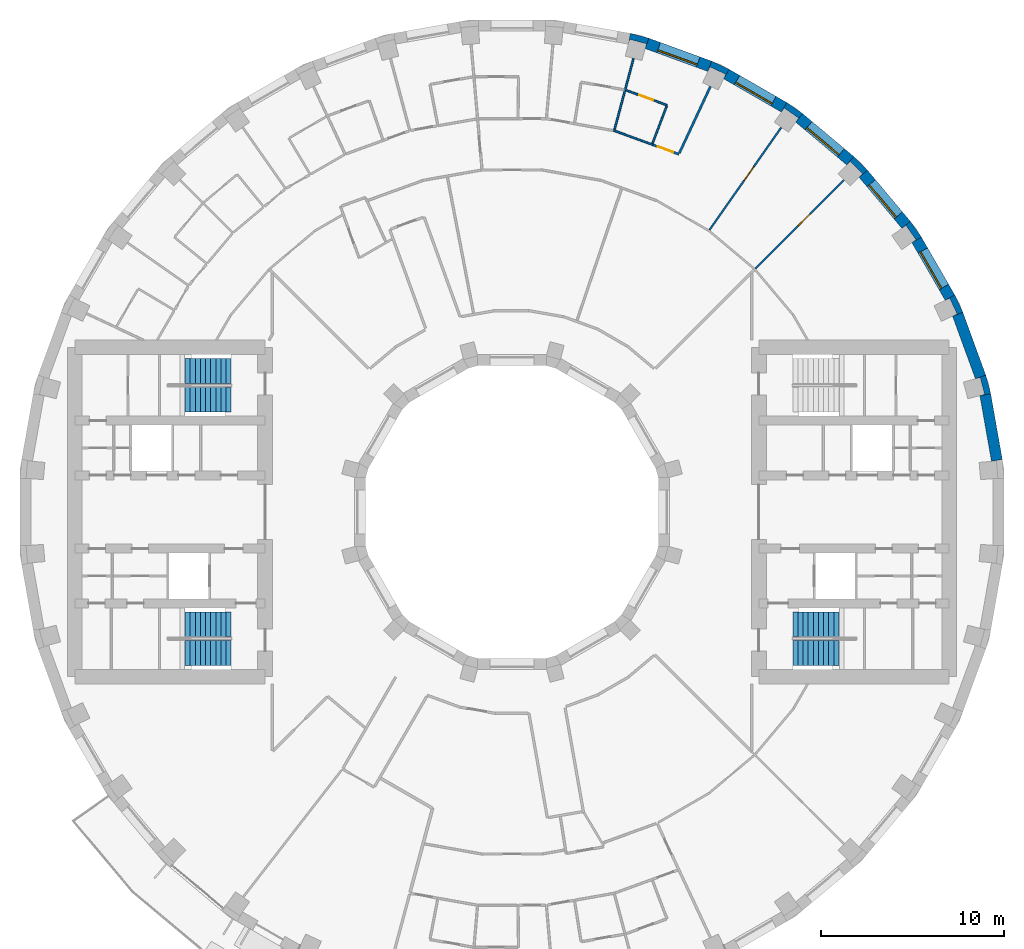
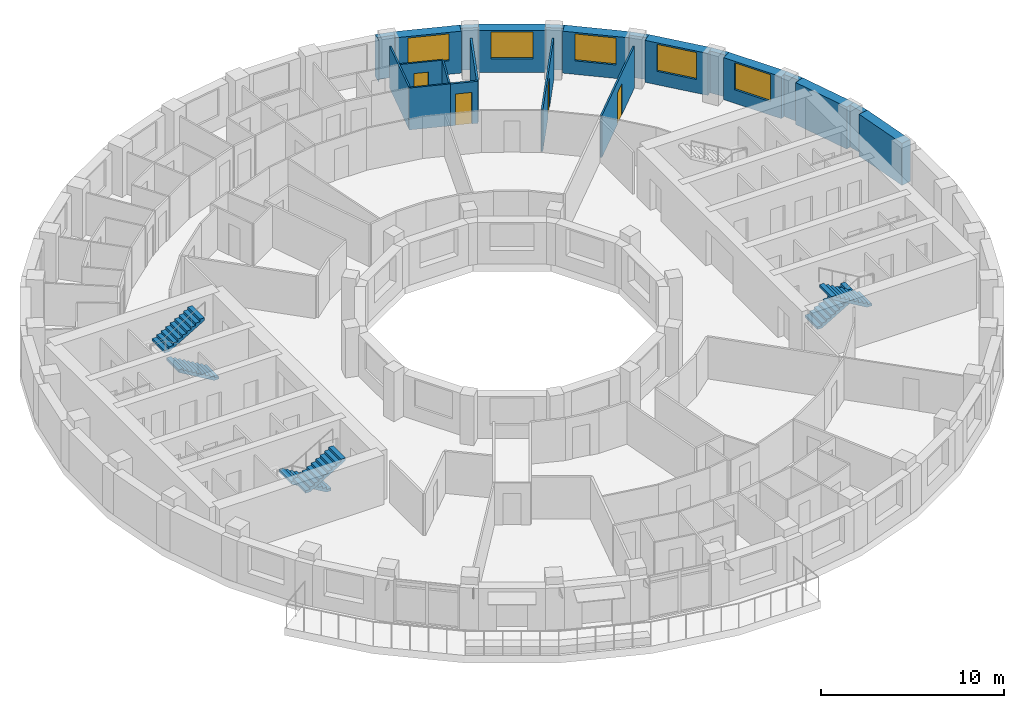
# One storey, part 12 of 14: 22 walls, 6 stair flights, 5 windows, 4 doors, 9 openings, 3 elements without a shape of their own.
"""IFC4 building model written with IfcOpenShell, lengths in metres."""

from ifc_helpers import new_model, si_unit, direction, frame, frame_2d, origin, place, context, subcontext, project, spatial, polyline, rectangle, outline, extrude, material, layer, layer_set, type_object, element, fill, aggregate, save


model = new_model("IFC4")

# Units and contexts
model_context = context("Model", 3, precision=1e-05, world=origin(), true_north=direction((0.0, 1.0)))
body_context = subcontext(model_context, "Body", "Model", "MODEL_VIEW")
ifc_project = project(units=[si_unit("LENGTHUNIT", "METRE"), si_unit("AREAUNIT", "SQUARE_METRE"), si_unit("VOLUMEUNIT", "CUBIC_METRE"), si_unit("PLANEANGLEUNIT", "RADIAN"), si_unit("MASSUNIT", "GRAM", prefix="KILO")], contexts=[model_context])

# Site, building, storey
site_placement = place(None, origin())
site = spatial("IfcSite", under=ifc_project, at=site_placement, CompositionType="ELEMENT")
building_placement = place(site_placement, origin())
building = spatial("IfcBuilding", under=site, at=building_placement, Name="Saqina Gate Tower", CompositionType="ELEMENT")
storey_placement = place(building_placement, frame((0.0, 0.0, 131.5)))
storey = spatial("IfcBuildingStorey", under=building, at=storey_placement, Name="L37", CompositionType="ELEMENT", Elevation=131.5)

# Walls
ifc_material_1 = material(Name="Brick masonry (buff)", Category="masonry")
wall_type_1 = type_object("IfcWallType", Name="BRICK PIER COPING BUFF", PredefinedType="SOLIDWALL", material=ifc_material_1)
wall_1_placement = place(storey_placement, origin())
element("IfcWall", 1, at=wall_1_placement, inside=storey, type_object=wall_type_1, Name="Pier cap L37 column 2", PredefinedType="SOLIDWALL", context=body_context, shape_type="SweptSolid", body=[
    extrude(outline(polyline([(26.171875, 6.466796875), (25.89892578125, 7.485595703125), (25.335205078125, 7.2802734375), (25.5947265625, 7.349853515625), (25.8408203125, 6.43212890625), (25.5810546875, 6.36279296875), (26.171875, 6.466796875)])), origin(), (0.0, 0.0, 1.0), 2.800048828125),
])
wall_2_placement = place(storey_placement, origin())
element("IfcWall", 2, at=wall_2_placement, inside=storey, type_object=wall_type_1, Name="Pier cap L37 column 3", PredefinedType="SOLIDWALL", context=body_context, shape_type="SweptSolid", body=[
    extrude(outline(polyline([(24.6513671875, 10.913330078125), (24.205810546875, 11.869140625), (23.68603515625, 11.569091796875), (23.9296875, 11.6826171875), (24.331298828125, 10.82177734375), (24.08740234375, 10.7080078125), (24.6513671875, 10.913330078125)])), origin(), (0.0, 0.0, 1.0), 2.800048828125),
])
wall_3_placement = place(storey_placement, origin())
element("IfcWall", 3, at=wall_3_placement, inside=storey, type_object=wall_type_1, Name="Pier cap L37 column 4", PredefinedType="SOLIDWALL", context=body_context, shape_type="SweptSolid", body=[
    extrude(outline(polyline([(21.77685546875, 15.89208984375), (21.317138671875, 15.50634765625), (21.53759765625, 15.66064453125), (22.08251953125, 14.88232421875), (21.862060546875, 14.728271484375), (22.3818359375, 15.0283203125), (21.77685546875, 15.89208984375)])), origin(), (0.0, 0.0, 1.0), 2.800048828125),
])
wall_4_placement = place(storey_placement, origin())
element("IfcWall", 4, at=wall_4_placement, inside=storey, type_object=wall_type_1, Name="Pier cap L37 column 5", PredefinedType="SOLIDWALL", context=body_context, shape_type="SweptSolid", body=[
    extrude(outline(polyline([(19.43212890625, 18.686279296875), (18.686279296875, 19.43212890625), (18.30078125, 18.972412109375), (18.49072265625, 19.16259765625), (19.16259765625, 18.49072265625), (18.972412109375, 18.30078125), (19.43212890625, 18.686279296875)])), origin(), (0.0, 0.0, 1.0), 2.800048828125),
])
wall_5_placement = place(storey_placement, origin())
element("IfcWall", 5, at=wall_5_placement, inside=storey, type_object=wall_type_1, Name="Pier cap L37 column 6", PredefinedType="SOLIDWALL", context=body_context, shape_type="SweptSolid", body=[
    extrude(outline(polyline([(15.0283203125, 22.3818359375), (14.728271484375, 21.862060546875), (14.88232421875, 22.08251953125), (15.66064453125, 21.53759765625), (15.50634765625, 21.317138671875), (15.89208984375, 21.77685546875), (15.0283203125, 22.3818359375)])), origin(), (0.0, 0.0, 1.0), 2.800048828125),
])
wall_6_placement = place(storey_placement, origin())
element("IfcWall", 6, at=wall_6_placement, inside=storey, type_object=wall_type_1, Name="Pier cap L37 column 7", PredefinedType="SOLIDWALL", context=body_context, shape_type="SweptSolid", body=[
    extrude(outline(polyline([(10.913330078125, 24.6513671875), (10.7080078125, 24.08740234375), (10.82177734375, 24.331298828125), (11.6826171875, 23.9296875), (11.569091796875, 23.68603515625), (11.869140625, 24.205810546875), (10.913330078125, 24.6513671875)])), origin(), (0.0, 0.0, 1.0), 2.800048828125),
])
wall_7_placement = place(storey_placement, origin())
element("IfcWall", 7, at=wall_7_placement, inside=storey, type_object=wall_type_1, Name="Pier cap L37 column 8", PredefinedType="SOLIDWALL", context=body_context, shape_type="SweptSolid", body=[
    extrude(outline(polyline([(7.485595703125, 25.89892578125), (6.466796875, 26.171875), (6.36279296875, 25.5810546875), (6.43212890625, 25.8408203125), (7.349853515625, 25.5947265625), (7.2802734375, 25.335205078125), (7.485595703125, 25.89892578125)])), origin(), (0.0, 0.0, 1.0), 2.800048828125),
])

# Wall, opening, window
ifc_material_2 = material(Name="Brick masonry (buff)", Category="masonry")
ifc_layer_1 = layer(ifc_material_2, 0.60009765625)
ifc_layer_set_1 = layer_set([ifc_layer_1], Name="FW-BRICK-BUFF")
wall_type_2 = type_object("IfcWallType", Name="FW-BRICK-BUFF", PredefinedType="SOLIDWALL", material=ifc_layer_set_1)
wall_8_placement = place(storey_placement, frame((23.94580078125, 11.718994140625, 0.0), z_axis=(0.0, 0.0, 1.0), x_axis=(-0.499954196102, 0.866051847062, 0.0)))
wall_8 = element("IfcWall", 8, at=wall_8_placement, inside=storey, type_object=wall_type_2, Name="Facade wall L37 facet 3", PredefinedType="SOLIDWALL", context=body_context, shape_type="SweptSolid", body=[
    extrude(rectangle(XDim=3.647705078125, YDim=0.60009765625, at=frame_2d((1.82373046875, 0.0))), origin(), (0.0, 0.0, 1.0), 2.800048828125),
])
opening_1_placement = place(wall_8_placement, frame((0.673828125, 0.0, 0.89990234375)))
opening_1 = element("IfcOpeningElement", 9, at=opening_1_placement, cuts=wall_8, Name="Opening G11-W01", PredefinedType="OPENING", context=body_context, shape_type="SweptSolid", body=[
    extrude(rectangle(XDim=2.300048828125, YDim=1.800048828125, at=frame_2d((1.14990234375, 0.89990234375))), frame((0.0, 0.31201171875, 0.0), z_axis=(0.0, -1.0, 0.0), x_axis=(1.0, 0.0, 0.0)), (0.0, 0.0, 1.0), 0.6240234375),
])
ifc_material_3 = material(Name="Aluminium glazing", Category="aluminium")
window_type = type_object("IfcWindowType", Name="WN-B", PartitioningType="SINGLE_PANEL", PredefinedType="WINDOW", material=ifc_material_3)
window_1_placement = place(opening_1_placement, origin())
window_1 = element("IfcWindow", 10, at=window_1_placement, inside=storey, type_object=window_type, Name="Window L37 facet 3", OverallHeight=1.800048828125, OverallWidth=2.300048828125, PartitioningType="SINGLE_PANEL", PredefinedType="WINDOW", context=body_context, shape_type="SweptSolid", body=[
    extrude(rectangle(XDim=2.300048828125, YDim=1.800048828125, at=frame_2d((1.14990234375, 0.89990234375))), frame((0.0, 0.179931640625, 0.0), z_axis=(0.0, -1.0, 0.0), x_axis=(1.0, 0.0, 0.0)), (0.0, 0.0, 1.0), 0.06005859375),
])
fill(opening_1, window_1)

wall_9_placement = place(storey_placement, frame((21.547119140625, 15.69921875, 0.0), z_axis=(0.0, 0.0, 1.0), x_axis=(-0.642774476932, 0.766055462616, 0.0)))
wall_9 = element("IfcWall", 11, at=wall_9_placement, inside=storey, type_object=wall_type_2, Name="Facade wall L37 facet 4", PredefinedType="SOLIDWALL", context=body_context, shape_type="SweptSolid", body=[
    extrude(rectangle(XDim=3.647705078125, YDim=0.60009765625, at=frame_2d((1.82373046875, 0.0))), origin(), (0.0, 0.0, 1.0), 2.800048828125),
])
opening_2_placement = place(wall_9_placement, frame((0.673828125, 0.0, 0.89990234375)))
opening_2 = element("IfcOpeningElement", 12, at=opening_2_placement, cuts=wall_9, Name="Opening G11-W02", PredefinedType="OPENING", context=body_context, shape_type="SweptSolid", body=[
    extrude(rectangle(XDim=2.300048828125, YDim=1.800048828125, at=frame_2d((1.14990234375, 0.89990234375))), frame((0.0, 0.31201171875, 0.0), z_axis=(0.0, -1.0, 0.0), x_axis=(1.0, 0.0, 0.0)), (0.0, 0.0, 1.0), 0.6240234375),
])
window_2_placement = place(opening_2_placement, origin())
window_2 = element("IfcWindow", 13, at=window_2_placement, inside=storey, type_object=window_type, Name="Window L37 facet 4", OverallHeight=1.800048828125, OverallWidth=2.300048828125, PartitioningType="SINGLE_PANEL", PredefinedType="WINDOW", context=body_context, shape_type="SweptSolid", body=[
    extrude(rectangle(XDim=2.300048828125, YDim=1.800048828125, at=frame_2d((1.14990234375, 0.89990234375))), frame((0.0, 0.179931640625, 0.0), z_axis=(0.0, -1.0, 0.0), x_axis=(1.0, 0.0, 0.0)), (0.0, 0.0, 1.0), 0.06005859375),
])
fill(opening_2, window_2)

wall_10_placement = place(storey_placement, frame((18.49365234375, 19.202392578125, 0.0), z_axis=(0.0, 0.0, 1.0), x_axis=(-0.766055462616, 0.642774476932, 0.0)))
wall_10 = element("IfcWall", 14, at=wall_10_placement, inside=storey, type_object=wall_type_2, Name="Facade wall L37 facet 5", PredefinedType="SOLIDWALL", context=body_context, shape_type="SweptSolid", body=[
    extrude(rectangle(XDim=3.647705078125, YDim=0.60009765625, at=frame_2d((1.82373046875, 0.0))), origin(), (0.0, 0.0, 1.0), 2.800048828125),
])
opening_3_placement = place(wall_10_placement, frame((0.673828125, 0.0, 0.89990234375)))
opening_3 = element("IfcOpeningElement", 15, at=opening_3_placement, cuts=wall_10, Name="Opening G11-W03", PredefinedType="OPENING", context=body_context, shape_type="SweptSolid", body=[
    extrude(rectangle(XDim=2.300048828125, YDim=1.800048828125, at=frame_2d((1.14990234375, 0.89990234375))), frame((0.0, 0.31201171875, 0.0), z_axis=(0.0, -1.0, 0.0), x_axis=(1.0, 0.0, 0.0)), (0.0, 0.0, 1.0), 0.6240234375),
])
window_3_placement = place(opening_3_placement, origin())
window_3 = element("IfcWindow", 16, at=window_3_placement, inside=storey, type_object=window_type, Name="Window L37 facet 5", OverallHeight=1.800048828125, OverallWidth=2.300048828125, PartitioningType="SINGLE_PANEL", PredefinedType="WINDOW", context=body_context, shape_type="SweptSolid", body=[
    extrude(rectangle(XDim=2.300048828125, YDim=1.800048828125, at=frame_2d((1.14990234375, 0.89990234375))), frame((0.0, 0.179931640625, 0.0), z_axis=(0.0, -1.0, 0.0), x_axis=(1.0, 0.0, 0.0)), (0.0, 0.0, 1.0), 0.06005859375),
])
fill(opening_3, window_3)

wall_11_placement = place(storey_placement, frame((14.878173828125, 22.1220703125, 0.0), z_axis=(0.0, 0.0, 1.0), x_axis=(-0.866051847062, 0.499954196102, 0.0)))
wall_11 = element("IfcWall", 17, at=wall_11_placement, inside=storey, type_object=wall_type_2, Name="Facade wall L37 facet 6", PredefinedType="SOLIDWALL", context=body_context, shape_type="SweptSolid", body=[
    extrude(rectangle(XDim=3.647705078125, YDim=0.60009765625, at=frame_2d((1.82373046875, 0.0))), origin(), (0.0, 0.0, 1.0), 2.800048828125),
])
opening_4_placement = place(wall_11_placement, frame((0.673828125, 0.0, 0.89990234375)))
opening_4 = element("IfcOpeningElement", 18, at=opening_4_placement, cuts=wall_11, Name="Opening G11-W04", PredefinedType="OPENING", context=body_context, shape_type="SweptSolid", body=[
    extrude(rectangle(XDim=2.300048828125, YDim=1.800048828125, at=frame_2d((1.14990234375, 0.89990234375))), frame((0.0, 0.31201171875, 0.0), z_axis=(0.0, -1.0, 0.0), x_axis=(1.0, 0.0, 0.0)), (0.0, 0.0, 1.0), 0.6240234375),
])
window_4_placement = place(opening_4_placement, origin())
window_4 = element("IfcWindow", 19, at=window_4_placement, inside=storey, type_object=window_type, Name="Window L37 facet 6", OverallHeight=1.800048828125, OverallWidth=2.300048828125, PartitioningType="SINGLE_PANEL", PredefinedType="WINDOW", context=body_context, shape_type="SweptSolid", body=[
    extrude(rectangle(XDim=2.300048828125, YDim=1.800048828125, at=frame_2d((1.14990234375, 0.89990234375))), frame((0.0, 0.179931640625, 0.0), z_axis=(0.0, -1.0, 0.0), x_axis=(1.0, 0.0, 0.0)), (0.0, 0.0, 1.0), 0.06005859375),
])
fill(opening_4, window_4)

wall_12_placement = place(storey_placement, frame((10.810791015625, 24.369384765625, 0.0), z_axis=(0.0, 0.0, 1.0), x_axis=(-0.939703505393, 0.341990236633, 0.0)))
wall_12 = element("IfcWall", 20, at=wall_12_placement, inside=storey, type_object=wall_type_2, Name="Facade wall L37 facet 7", PredefinedType="SOLIDWALL", context=body_context, shape_type="SweptSolid", body=[
    extrude(rectangle(XDim=3.64794921875, YDim=0.60009765625, at=frame_2d((1.823974609375, 0.0))), origin(), (0.0, 0.0, 1.0), 2.800048828125),
])
opening_5_placement = place(wall_12_placement, frame((0.673828125, 0.0, 0.89990234375)))
opening_5 = element("IfcOpeningElement", 21, at=opening_5_placement, cuts=wall_12, Name="Opening G11-W05", PredefinedType="OPENING", context=body_context, shape_type="SweptSolid", body=[
    extrude(rectangle(XDim=2.300048828125, YDim=1.800048828125, at=frame_2d((1.14990234375, 0.89990234375))), frame((0.0, 0.31201171875, 0.0), z_axis=(0.0, -1.0, 0.0), x_axis=(1.0, 0.0, 0.0)), (0.0, 0.0, 1.0), 0.6240234375),
])
window_5_placement = place(opening_5_placement, origin())
window_5 = element("IfcWindow", 22, at=window_5_placement, inside=storey, type_object=window_type, Name="Window L37 facet 7", OverallHeight=1.800048828125, OverallWidth=2.300048828125, PartitioningType="SINGLE_PANEL", PredefinedType="WINDOW", context=body_context, shape_type="SweptSolid", body=[
    extrude(rectangle(XDim=2.300048828125, YDim=1.800048828125, at=frame_2d((1.14990234375, 0.89990234375))), frame((0.0, 0.179931640625, 0.0), z_axis=(0.0, -1.0, 0.0), x_axis=(1.0, 0.0, 0.0)), (0.0, 0.0, 1.0), 0.06005859375),
])
fill(opening_5, window_5)

# Walls
ifc_material_4 = material(Name="Glazed ceramic tile", Category="ceramic")
ifc_layer_2 = layer(ifc_material_4, 0.60009765625)
ifc_layer_set_2 = layer_set([ifc_layer_2], Name="FW-TILE")
wall_type_3 = type_object("IfcWallType", Name="FW-TILE", PredefinedType="SOLIDWALL", material=ifc_layer_set_2)
wall_13_placement = place(storey_placement, frame((25.616943359375, 7.3828125, 0.0), z_axis=(0.0, 0.0, 1.0), x_axis=(-0.341990236633, 0.939703505393, 0.0)))
element("IfcWall", 23, at=wall_13_placement, inside=storey, type_object=wall_type_3, Name="Facade wall L37 facet 2", PredefinedType="SOLIDWALL", context=body_context, shape_type="SweptSolid", body=[
    extrude(rectangle(XDim=3.64794921875, YDim=0.60009765625, at=frame_2d((1.823974609375, 0.0))), origin(), (0.0, 0.0, 1.0), 2.800048828125),
])
ifc_material_5 = material(Name="Glazed ceramic tile (dark blue)", Category="ceramic")
ifc_layer_3 = layer(ifc_material_5, 0.60009765625)
ifc_layer_set_3 = layer_set([ifc_layer_3], Name="FW-TILE-CB")
wall_type_4 = type_object("IfcWallType", Name="FW-TILE-CB", PredefinedType="SOLIDWALL", material=ifc_layer_set_3)
wall_14_placement = place(storey_placement, frame((26.510009765625, 2.822265625, 0.0), z_axis=(0.0, 0.0, 1.0), x_axis=(-0.173670796382, 0.984803764455, 0.0)))
element("IfcWall", 24, at=wall_14_placement, inside=storey, type_object=wall_type_4, Name="Facade wall L37 facet 1", PredefinedType="SOLIDWALL", context=body_context, shape_type="SweptSolid", body=[
    extrude(rectangle(XDim=3.64794921875, YDim=0.60009765625, at=frame_2d((1.823974609375, 0.0))), origin(), (0.0, 0.0, 1.0), 2.800048828125),
])
ifc_material_6 = material(Name="Gypsum board on steel studs, 100 mm", Category="steel")
ifc_layer_4 = layer(ifc_material_6, 0.10009765625)
ifc_layer_set_4 = layer_set([ifc_layer_4], Name="PARTITION 100")
wall_type_5 = type_object("IfcWallType", Name="PARTITION 100", PredefinedType="PARTITIONING", material=ifc_layer_set_4)
wall_15_placement = place(storey_placement, frame((5.5380859375, 20.865966796875, 0.0), z_axis=(0.0, 0.0, 1.0), x_axis=(0.939002837997, -0.343909392476, 0.0)))
element("IfcWall", 25, at=wall_15_placement, inside=storey, type_object=wall_type_5, Name="PARTITION PW3-29", PredefinedType="PARTITIONING", context=body_context, shape_type="SweptSolid", body=[
    extrude(rectangle(XDim=2.306396484375, YDim=0.10009765625, at=frame_2d((1.1533203125, 0.0))), origin(), (0.0, 0.0, 1.0), 2.800048828125),
])

# Wall, opening, door
wall_16_placement = place(storey_placement, frame((6.22998046875, 23.056884765625, 0.0), z_axis=(0.0, 0.0, 1.0), x_axis=(0.939644231496, -0.342153062556, 0.0)))
wall_16 = element("IfcWall", 26, at=wall_16_placement, inside=storey, type_object=wall_type_5, Name="PARTITION PW3-31", PredefinedType="PARTITIONING", context=body_context, shape_type="SweptSolid", body=[
    extrude(rectangle(XDim=2.390380859375, YDim=0.10009765625, at=frame_2d((1.1953125, 0.0))), origin(), (0.0, 0.0, 1.0), 2.800048828125),
])
opening_6_placement = place(wall_16_placement, frame((0.770263671875, 0.0, 0.0)))
opening_6 = element("IfcOpeningElement", 27, at=opening_6_placement, cuts=wall_16, Name="Opening G11-D05", PredefinedType="OPENING", context=body_context, shape_type="SweptSolid", body=[
    extrude(rectangle(XDim=0.800048828125, YDim=2.10009765625, at=frame_2d((0.39990234375, 1.050048828125))), frame((0.0, 0.06201171875, 0.0), z_axis=(0.0, -1.0, 0.0), x_axis=(1.0, 0.0, 0.0)), (0.0, 0.0, 1.0), 0.1240234375),
])
ifc_material_7 = material(Name="Timber door leaf, 800 mm", Category="wood")
door_type_1 = type_object("IfcDoorType", Name="DOOR 800 TIMBER", OperationType="SINGLE_SWING_LEFT", PredefinedType="DOOR", material=ifc_material_7)
door_1_placement = place(opening_6_placement, origin())
door_1 = element("IfcDoor", 28, at=door_1_placement, inside=storey, type_object=door_type_1, Name="DOOR G11-D05", OperationType="SINGLE_SWING_LEFT", OverallHeight=2.10009765625, OverallWidth=0.800048828125, PredefinedType="DOOR", context=body_context, shape_type="SweptSolid", body=[
    extrude(rectangle(XDim=0.800048828125, YDim=2.10009765625, at=frame_2d((0.39990234375, 1.050048828125))), frame((0.0, 0.02490234375, 0.0), z_axis=(0.0, -1.0, 0.0), x_axis=(1.0, 0.0, 0.0)), (0.0, 0.0, 1.0), 0.050048828125),
])
fill(opening_6, door_1)

wall_17_placement = place(storey_placement, frame((13.307373046875, 13.307373046875, 0.0), z_axis=(0.0, 0.0, 1.0), x_axis=(0.707106781187, 0.707106781187, 0.0)))
wall_17 = element("IfcWall", 29, at=wall_17_placement, inside=storey, type_object=wall_type_5, Name="PARTITION PW3-67", PredefinedType="PARTITIONING", context=body_context, shape_type="SweptSolid", body=[
    extrude(rectangle(XDim=6.845703125, YDim=0.10009765625, at=frame_2d((3.4228515625, 0.0))), origin(), (0.0, 0.0, 1.0), 2.800048828125),
])
opening_7_placement = place(wall_17_placement, frame((3.314697265625, 0.0, 0.0)))
opening_7 = element("IfcOpeningElement", 30, at=opening_7_placement, cuts=wall_17, Name="Opening G11-D01", PredefinedType="OPENING", context=body_context, shape_type="SweptSolid", body=[
    extrude(rectangle(XDim=0.89990234375, YDim=2.10009765625, at=frame_2d((0.449951171875, 1.050048828125))), frame((0.0, 0.06201171875, 0.0), z_axis=(0.0, -1.0, 0.0), x_axis=(1.0, 0.0, 0.0)), (0.0, 0.0, 1.0), 0.1240234375),
])
ifc_material_8 = material(Name="Timber door leaf, 900 mm", Category="wood")
door_type_2 = type_object("IfcDoorType", Name="DOOR 900 TIMBER", OperationType="SINGLE_SWING_LEFT", PredefinedType="DOOR", material=ifc_material_8)
door_2_placement = place(opening_7_placement, frame((0.89990234375, 0.0, 0.0), z_axis=(0.0, 0.0, 1.0), x_axis=(-1.0, 0.0, 0.0)))
door_2 = element("IfcDoor", 31, at=door_2_placement, inside=storey, type_object=door_type_2, Name="DOOR G11-D01", OperationType="SINGLE_SWING_LEFT", OverallHeight=2.10009765625, OverallWidth=0.89990234375, PredefinedType="DOOR", context=body_context, shape_type="SweptSolid", body=[
    extrude(rectangle(XDim=0.89990234375, YDim=2.10009765625, at=frame_2d((0.449951171875, 1.050048828125))), frame((0.0, 0.02490234375, 0.0), z_axis=(0.0, -1.0, 0.0), x_axis=(1.0, 0.0, 0.0)), (0.0, 0.0, 1.0), 0.050048828125),
])
fill(opening_7, door_2)

wall_18_placement = place(storey_placement, frame((10.794677734375, 15.4169921875, 0.0), z_axis=(0.0, 0.0, 1.0), x_axis=(0.573553308079, 0.819168238393, 0.0)))
wall_18 = element("IfcWall", 32, at=wall_18_placement, inside=storey, type_object=wall_type_5, Name="PARTITION PW3-73", PredefinedType="PARTITIONING", context=body_context, shape_type="SweptSolid", body=[
    extrude(rectangle(XDim=6.8447265625, YDim=0.10009765625, at=frame_2d((3.42236328125, 0.0))), origin(), (0.0, 0.0, 1.0), 2.800048828125),
])
opening_8_placement = place(wall_18_placement, frame((3.314697265625, 0.0, 0.0)))
opening_8 = element("IfcOpeningElement", 33, at=opening_8_placement, cuts=wall_18, Name="Opening G11-D02", PredefinedType="OPENING", context=body_context, shape_type="SweptSolid", body=[
    extrude(rectangle(XDim=0.89990234375, YDim=2.10009765625, at=frame_2d((0.449951171875, 1.050048828125))), frame((0.0, 0.06201171875, 0.0), z_axis=(0.0, -1.0, 0.0), x_axis=(1.0, 0.0, 0.0)), (0.0, 0.0, 1.0), 0.1240234375),
])
door_3_placement = place(opening_8_placement, origin())
door_3 = element("IfcDoor", 34, at=door_3_placement, inside=storey, type_object=door_type_2, Name="DOOR G11-D02", OperationType="SINGLE_SWING_RIGHT", OverallHeight=2.10009765625, OverallWidth=0.89990234375, PredefinedType="DOOR", context=body_context, shape_type="SweptSolid", body=[
    extrude(rectangle(XDim=0.89990234375, YDim=2.10009765625, at=frame_2d((0.449951171875, 1.050048828125))), frame((0.0, 0.02490234375, 0.0), z_axis=(0.0, -1.0, 0.0), x_axis=(1.0, 0.0, 0.0)), (0.0, 0.0, 1.0), 0.050048828125),
])
fill(opening_8, door_3)

# Walls
wall_19_placement = place(storey_placement, frame((7.67919921875, 20.1484375, 0.0), z_axis=(0.0, 0.0, 1.0), x_axis=(0.35615776917, 0.934425836255, 0.0)))
element("IfcWall", 35, at=wall_19_placement, inside=storey, type_object=wall_type_5, Name="PARTITION PW3-79", PredefinedType="PARTITIONING", context=body_context, shape_type="SweptSolid", body=[
    extrude(rectangle(XDim=2.1875, YDim=0.10009765625, at=frame_2d((1.09375, 0.0))), origin(), (0.0, 0.0, 1.0), 2.800048828125),
])
wall_20_placement = place(storey_placement, frame((5.598876953125, 20.89208984375, 0.0), z_axis=(0.0, 0.0, 1.0), x_axis=(0.258615129659, 0.965980442199, 0.0)))
element("IfcWall", 36, at=wall_20_placement, inside=storey, type_object=wall_type_5, Name="PARTITION PW3-81", PredefinedType="PARTITIONING", context=body_context, shape_type="SweptSolid", body=[
    extrude(rectangle(XDim=4.03564453125, YDim=0.10009765625, at=frame_2d((2.017822265625, 0.0))), origin(), (0.0, 0.0, 1.0), 2.800048828125),
])

# Wall, opening, door
ifc_material_9 = material(Name="Gypsum board on steel studs, 125 mm, fire rated", Category="steel")
ifc_layer_5 = layer(ifc_material_9, 0.125)
ifc_layer_set_5 = layer_set([ifc_layer_5], Name="PARTITION EI 30 125")
wall_type_6 = type_object("IfcWallType", Name="PARTITION EI 30 125", PredefinedType="PARTITIONING", material=ifc_layer_set_5)
wall_21_placement = place(storey_placement, frame((7.7041015625, 20.072998046875, 0.0), z_axis=(0.0, 0.0, 1.0), x_axis=(0.939798154323, -0.341730053012, 0.0)))
wall_21 = element("IfcWall", 37, at=wall_21_placement, inside=storey, type_object=wall_type_6, Name="PARTITION PW1-14", PredefinedType="PARTITIONING", context=body_context, shape_type="SweptSolid", body=[
    extrude(rectangle(XDim=1.5068359375, YDim=0.125, at=frame_2d((0.75341796875, 0.0))), origin(), (0.0, 0.0, 1.0), 2.800048828125),
])
opening_9_placement = place(wall_21_placement, frame((0.276123046875, 0.0, 0.0)))
opening_9 = element("IfcOpeningElement", 38, at=opening_9_placement, cuts=wall_21, Name="Opening G11-D04", PredefinedType="OPENING", context=body_context, shape_type="SweptSolid", body=[
    extrude(rectangle(XDim=0.89990234375, YDim=2.10009765625, at=frame_2d((0.449951171875, 1.050048828125))), frame((0.0, 0.074462890625, 0.0), z_axis=(0.0, -1.0, 0.0), x_axis=(1.0, 0.0, 0.0)), (0.0, 0.0, 1.0), 0.14892578125),
])
ifc_material_10 = material(Name="Fire door leaf EI 30, 900 mm")
door_type_3 = type_object("IfcDoorType", Name="DOOR 900 EI 30", OperationType="SINGLE_SWING_LEFT", PredefinedType="DOOR", material=ifc_material_10)
door_4_placement = place(opening_9_placement, frame((0.89990234375, 0.0, 0.0), z_axis=(0.0, 0.0, 1.0), x_axis=(-1.0, 0.0, 0.0)))
door_4 = element("IfcDoor", 39, at=door_4_placement, inside=storey, type_object=door_type_3, Name="DOOR G11-D04", OperationType="SINGLE_SWING_RIGHT", OverallHeight=2.10009765625, OverallWidth=0.89990234375, PredefinedType="DOOR", context=body_context, shape_type="SweptSolid", body=[
    extrude(rectangle(XDim=0.89990234375, YDim=2.10009765625, at=frame_2d((0.449951171875, 1.050048828125))), frame((0.0, 0.02490234375, 0.0), z_axis=(0.0, -1.0, 0.0), x_axis=(1.0, 0.0, 0.0)), (0.0, 0.0, 1.0), 0.050048828125),
])
fill(opening_9, door_4)

# Wall
wall_22_placement = place(storey_placement, frame((9.146484375, 19.61474609375, 0.0), z_axis=(0.0, 0.0, 1.0), x_axis=(0.422622950513, 0.906305600612, 0.0)))
element("IfcWall", 40, at=wall_22_placement, inside=storey, type_object=wall_type_6, Name="PARTITION PW1-43", PredefinedType="PARTITIONING", context=body_context, shape_type="SweptSolid", body=[
    extrude(rectangle(XDim=4.0224609375, YDim=0.125, at=frame_2d((2.01123046875, 0.0))), origin(), (0.0, 0.0, 1.0), 2.800048828125),
])

# Stair, stair flights
ifc_material_11 = material(Name="Concrete C40/50", Category="concrete")
stair_type = type_object("IfcStairType", Name="EXIT STAIR", PredefinedType="HALF_TURN_STAIR", material=ifc_material_11)
stair_1_placement = place(storey_placement, origin())
stair_1 = element("IfcStair", 41, at=stair_1_placement, inside=storey, type_object=stair_type, Name="EXIT STAIR 2", PredefinedType="HALF_TURN_STAIR")
ifc_material_12 = material(Name="Concrete C40/50", Category="concrete")
stair_flight_type = type_object("IfcStairFlightType", Name="EXIT STAIR FLIGHT", PredefinedType="STRAIGHT", material=ifc_material_12)
stair_flight_1_placement = place(storey_placement, frame((15.35009765625, -6.1416015625, 0.0), z_axis=(0.0, 0.0, 1.0), x_axis=(1.0, 0.0, 0.0)))
stair_flight_1 = element("IfcStairFlight", 42, at=stair_flight_1_placement, type_object=stair_flight_type, Name="EXIT STAIR 2 FLIGHT 1", NumberOfRisers=10, NumberOfTreads=9, PredefinedType="STRAIGHT", RiserHeight=0.165, TreadLength=0.28, context=body_context, shape_type="SweptSolid", body=[
    extrude(outline(polyline([(0.0, 0.0), (0.0, 0.1650390625), (0.280029296875, 0.1650390625), (0.280029296875, 0.330078125), (0.56005859375, 0.330078125), (0.56005859375, 0.4951171875), (0.840087890625, 0.4951171875), (0.840087890625, 0.659912109375), (1.1201171875, 0.659912109375), (1.1201171875, 0.824951171875), (1.39990234375, 0.824951171875), (1.39990234375, 0.989990234375), (1.679931640625, 0.989990234375), (1.679931640625, 1.155029296875), (1.9599609375, 1.155029296875), (1.9599609375, 1.320068359375), (2.239990234375, 1.320068359375), (2.239990234375, 1.485107421875), (2.52001953125, 1.485107421875), (2.52001953125, 1.64990234375), (2.52001953125, 1.31103515625), (0.295166015625, 0.0), (0.0, 0.0)])), frame((0.0, 0.675048828125, 0.0), z_axis=(0.0, -1.0, 0.0), x_axis=(1.0, 0.0, 0.0)), (0.0, 0.0, 1.0), 1.35009765625),
])
stair_flight_2_placement = place(storey_placement, frame((17.8701171875, -7.708251953125, 1.64990234375), z_axis=(0.0, 0.0, 1.0), x_axis=(-1.0, 0.0, 0.0)))
stair_flight_2 = element("IfcStairFlight", 43, at=stair_flight_2_placement, type_object=stair_flight_type, Name="EXIT STAIR 2 FLIGHT 2", NumberOfRisers=10, NumberOfTreads=9, PredefinedType="STRAIGHT", RiserHeight=0.165, TreadLength=0.28, context=body_context, shape_type="SweptSolid", body=[
    extrude(outline(polyline([(0.0, 0.0), (0.0, 0.1650390625), (0.280029296875, 0.1650390625), (0.280029296875, 0.330078125), (0.56005859375, 0.330078125), (0.56005859375, 0.4951171875), (0.840087890625, 0.4951171875), (0.840087890625, 0.659912109375), (1.1201171875, 0.659912109375), (1.1201171875, 0.824951171875), (1.39990234375, 0.824951171875), (1.39990234375, 0.989990234375), (1.679931640625, 0.989990234375), (1.679931640625, 1.155029296875), (1.9599609375, 1.155029296875), (1.9599609375, 1.320068359375), (2.239990234375, 1.320068359375), (2.239990234375, 1.485107421875), (2.52001953125, 1.485107421875), (2.52001953125, 1.64990234375), (2.52001953125, 1.31103515625), (0.295166015625, 0.0), (0.0, 0.0)])), frame((0.0, 0.675048828125, 0.0), z_axis=(0.0, -1.0, 0.0), x_axis=(1.0, 0.0, 0.0)), (0.0, 0.0, 1.0), 1.35009765625),
])
aggregate(stair_1, [stair_flight_1, stair_flight_2])

stair_2_placement = place(storey_placement, origin())
stair_2 = element("IfcStair", 44, at=stair_2_placement, inside=storey, type_object=stair_type, Name="EXIT STAIR 3", PredefinedType="HALF_TURN_STAIR")
stair_flight_3_placement = place(storey_placement, frame((-15.35009765625, 6.1416015625, 0.0), z_axis=(0.0, 0.0, 1.0), x_axis=(-1.0, 0.0, 0.0)))
stair_flight_3 = element("IfcStairFlight", 45, at=stair_flight_3_placement, type_object=stair_flight_type, Name="EXIT STAIR 3 FLIGHT 1", NumberOfRisers=10, NumberOfTreads=9, PredefinedType="STRAIGHT", RiserHeight=0.165, TreadLength=0.28, context=body_context, shape_type="SweptSolid", body=[
    extrude(outline(polyline([(0.0, 0.0), (0.0, 0.1650390625), (0.280029296875, 0.1650390625), (0.280029296875, 0.330078125), (0.56005859375, 0.330078125), (0.56005859375, 0.4951171875), (0.840087890625, 0.4951171875), (0.840087890625, 0.659912109375), (1.1201171875, 0.659912109375), (1.1201171875, 0.824951171875), (1.39990234375, 0.824951171875), (1.39990234375, 0.989990234375), (1.679931640625, 0.989990234375), (1.679931640625, 1.155029296875), (1.9599609375, 1.155029296875), (1.9599609375, 1.320068359375), (2.239990234375, 1.320068359375), (2.239990234375, 1.485107421875), (2.52001953125, 1.485107421875), (2.52001953125, 1.64990234375), (2.52001953125, 1.31103515625), (0.295166015625, 0.0), (0.0, 0.0)])), frame((0.0, 0.675048828125, 0.0), z_axis=(0.0, -1.0, 0.0), x_axis=(1.0, 0.0, 0.0)), (0.0, 0.0, 1.0), 1.35009765625),
])
stair_flight_4_placement = place(storey_placement, frame((-17.8701171875, 7.708251953125, 1.64990234375), z_axis=(0.0, 0.0, 1.0), x_axis=(1.0, 0.0, 0.0)))
stair_flight_4 = element("IfcStairFlight", 46, at=stair_flight_4_placement, type_object=stair_flight_type, Name="EXIT STAIR 3 FLIGHT 2", NumberOfRisers=10, NumberOfTreads=9, PredefinedType="STRAIGHT", RiserHeight=0.165, TreadLength=0.28, context=body_context, shape_type="SweptSolid", body=[
    extrude(outline(polyline([(0.0, 0.0), (0.0, 0.1650390625), (0.280029296875, 0.1650390625), (0.280029296875, 0.330078125), (0.56005859375, 0.330078125), (0.56005859375, 0.4951171875), (0.840087890625, 0.4951171875), (0.840087890625, 0.659912109375), (1.1201171875, 0.659912109375), (1.1201171875, 0.824951171875), (1.39990234375, 0.824951171875), (1.39990234375, 0.989990234375), (1.679931640625, 0.989990234375), (1.679931640625, 1.155029296875), (1.9599609375, 1.155029296875), (1.9599609375, 1.320068359375), (2.239990234375, 1.320068359375), (2.239990234375, 1.485107421875), (2.52001953125, 1.485107421875), (2.52001953125, 1.64990234375), (2.52001953125, 1.31103515625), (0.295166015625, 0.0), (0.0, 0.0)])), frame((0.0, 0.675048828125, 0.0), z_axis=(0.0, -1.0, 0.0), x_axis=(1.0, 0.0, 0.0)), (0.0, 0.0, 1.0), 1.35009765625),
])
aggregate(stair_2, [stair_flight_3, stair_flight_4])

stair_3_placement = place(storey_placement, origin())
stair_3 = element("IfcStair", 47, at=stair_3_placement, inside=storey, type_object=stair_type, Name="EXIT STAIR 4", PredefinedType="HALF_TURN_STAIR")
stair_flight_5_placement = place(storey_placement, frame((-15.35009765625, -6.1416015625, 0.0), z_axis=(0.0, 0.0, 1.0), x_axis=(-1.0, 0.0, 0.0)))
stair_flight_5 = element("IfcStairFlight", 48, at=stair_flight_5_placement, type_object=stair_flight_type, Name="EXIT STAIR 4 FLIGHT 1", NumberOfRisers=10, NumberOfTreads=9, PredefinedType="STRAIGHT", RiserHeight=0.165, TreadLength=0.28, context=body_context, shape_type="SweptSolid", body=[
    extrude(outline(polyline([(0.0, 0.0), (0.0, 0.1650390625), (0.280029296875, 0.1650390625), (0.280029296875, 0.330078125), (0.56005859375, 0.330078125), (0.56005859375, 0.4951171875), (0.840087890625, 0.4951171875), (0.840087890625, 0.659912109375), (1.1201171875, 0.659912109375), (1.1201171875, 0.824951171875), (1.39990234375, 0.824951171875), (1.39990234375, 0.989990234375), (1.679931640625, 0.989990234375), (1.679931640625, 1.155029296875), (1.9599609375, 1.155029296875), (1.9599609375, 1.320068359375), (2.239990234375, 1.320068359375), (2.239990234375, 1.485107421875), (2.52001953125, 1.485107421875), (2.52001953125, 1.64990234375), (2.52001953125, 1.31103515625), (0.295166015625, 0.0), (0.0, 0.0)])), frame((0.0, 0.675048828125, 0.0), z_axis=(0.0, -1.0, 0.0), x_axis=(1.0, 0.0, 0.0)), (0.0, 0.0, 1.0), 1.35009765625),
])
stair_flight_6_placement = place(storey_placement, frame((-17.8701171875, -7.708251953125, 1.64990234375), z_axis=(0.0, 0.0, 1.0), x_axis=(1.0, 0.0, 0.0)))
stair_flight_6 = element("IfcStairFlight", 49, at=stair_flight_6_placement, type_object=stair_flight_type, Name="EXIT STAIR 4 FLIGHT 2", NumberOfRisers=10, NumberOfTreads=9, PredefinedType="STRAIGHT", RiserHeight=0.165, TreadLength=0.28, context=body_context, shape_type="SweptSolid", body=[
    extrude(outline(polyline([(0.0, 0.0), (0.0, 0.1650390625), (0.280029296875, 0.1650390625), (0.280029296875, 0.330078125), (0.56005859375, 0.330078125), (0.56005859375, 0.4951171875), (0.840087890625, 0.4951171875), (0.840087890625, 0.659912109375), (1.1201171875, 0.659912109375), (1.1201171875, 0.824951171875), (1.39990234375, 0.824951171875), (1.39990234375, 0.989990234375), (1.679931640625, 0.989990234375), (1.679931640625, 1.155029296875), (1.9599609375, 1.155029296875), (1.9599609375, 1.320068359375), (2.239990234375, 1.320068359375), (2.239990234375, 1.485107421875), (2.52001953125, 1.485107421875), (2.52001953125, 1.64990234375), (2.52001953125, 1.31103515625), (0.295166015625, 0.0), (0.0, 0.0)])), frame((0.0, 0.675048828125, 0.0), z_axis=(0.0, -1.0, 0.0), x_axis=(1.0, 0.0, 0.0)), (0.0, 0.0, 1.0), 1.35009765625),
])
aggregate(stair_3, [stair_flight_5, stair_flight_6])

save(model, "model.ifc")
